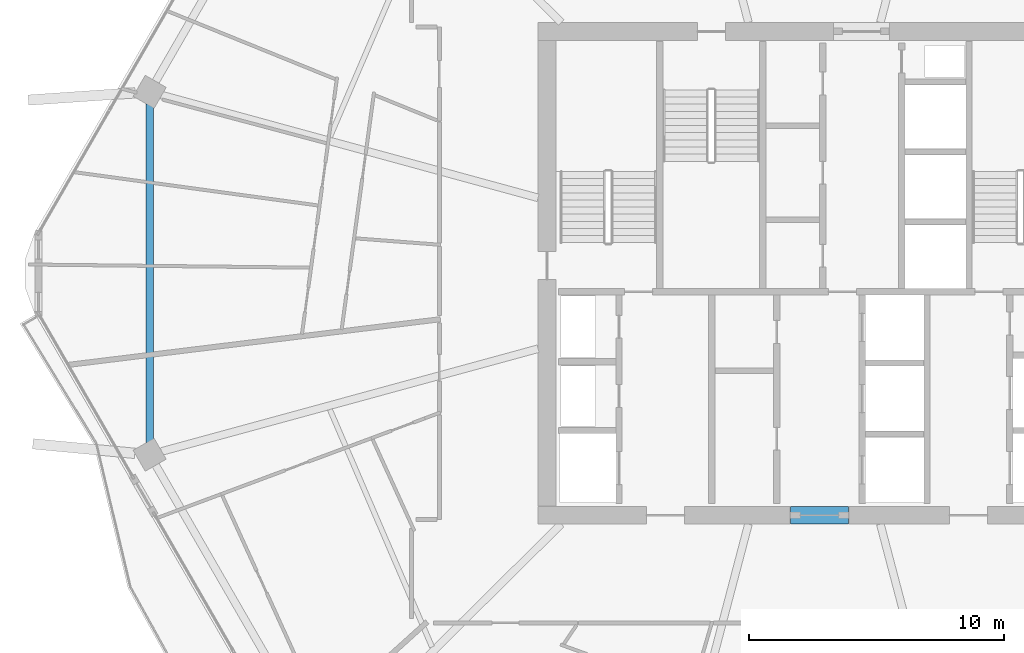
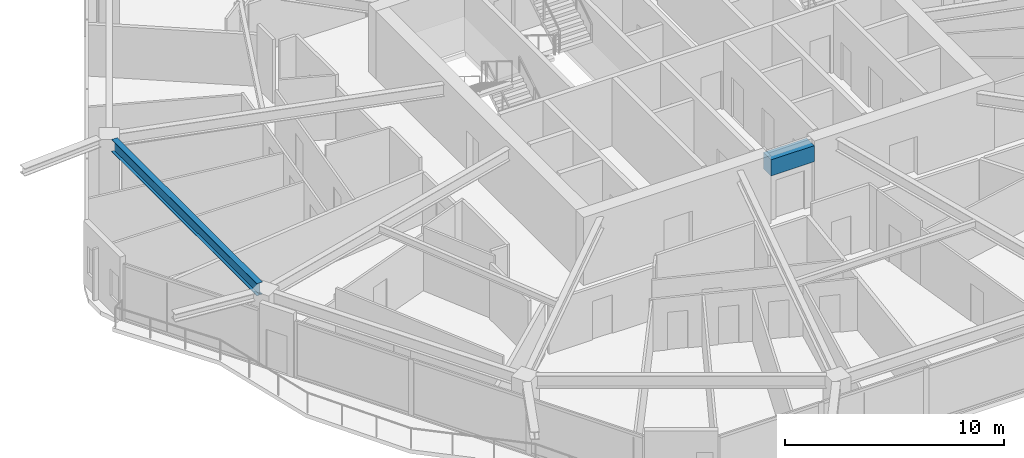
# One storey, part 6 of 26: 2 beams.
"""IFC4 building model written with IfcOpenShell, lengths in metres."""

import ifcopenshell
import ifcopenshell.guid

model = None  # the IFC model being written
_history = None  # IfcOwnerHistory: only IFC2X3 demands one
_inside = {}  # id of a spatial element -> (the spatial element, [elements in it])
_under = {}  # id of a project, library or spatial element -> (it, [spatial elements below it])
_declared = {}  # id of a project -> (the project, [libraries it declares])
_typed = {}  # id of a type object -> (the type object, [elements of that type])
_made_of = {}  # id of a material, layer set ... -> (it, [elements and type objects made of it])


def new_model(schema):
    """Start an empty IFC model of exactly this schema.

    Asked for "IFC4X3", IfcOpenShell would pick the latest addendum, in which some entities
    have other attributes; the version numbers below select the first issue.
    IFC2X3 requires an IfcOwnerHistory on every rooted entity: one is made here for all.
    """
    global model, _history
    if schema == "IFC4X3":
        model = ifcopenshell.file(schema_version=(4, 3, 0, 0))
    else:
        model = ifcopenshell.file(schema=schema)
    _inside.clear()
    _under.clear()
    _declared.clear()
    _typed.clear()
    _made_of.clear()
    _history = None
    if model.schema == "IFC2X3":
        org = make("IfcOrganization", Name="unknown")
        user = make(
            "IfcPersonAndOrganization",
            ThePerson=make("IfcPerson", FamilyName="unknown"),
            TheOrganization=org,
        )
        app = make(
            "IfcApplication",
            ApplicationDeveloper=org,
            Version="unknown",
            ApplicationFullName="unknown",
            ApplicationIdentifier="unknown",
        )
        _history = make(
            "IfcOwnerHistory",
            OwningUser=user,
            OwningApplication=app,
            ChangeAction="ADDED",
            CreationDate=0,
        )
    return model


def make(cls, **values):
    """One entity of the class cls with the attributes given. An attribute that is None is left unset."""
    return model.create_entity(
        cls, **{name: value for name, value in values.items() if value is not None}
    )


def rooted(cls, **values):
    """An entity with a GlobalId (a new one), such as an element, a storey or a relation."""
    return make(cls, GlobalId=ifcopenshell.guid.new(), OwnerHistory=_history, **values)


def si_unit(unit_type, name, prefix=None):
    """IfcSIUnit, for example si_unit("LENGTHUNIT", "METRE", prefix="MILLI")."""
    return make("IfcSIUnit", UnitType=unit_type, Prefix=prefix, Name=name)


def assignment(units):
    """IfcUnitAssignment: the units of a project."""
    return None if units is None else make("IfcUnitAssignment", Units=units)


def point(xyz):
    """IfcCartesianPoint."""
    return None if xyz is None else make("IfcCartesianPoint", Coordinates=xyz)


def direction(xyz):
    """IfcDirection."""
    return None if xyz is None else make("IfcDirection", DirectionRatios=xyz)


def frame(location, z_axis=None, x_axis=None):
    """IfcAxis2Placement3D, a coordinate frame: its origin and axes. An axis left out is left unset."""
    return make(
        "IfcAxis2Placement3D",
        Location=point(location),
        Axis=direction(z_axis),
        RefDirection=direction(x_axis),
    )


def frame_2d(location, x_axis=None):
    """IfcAxis2Placement2D, a coordinate frame in the plane: its origin and x axis."""
    return make(
        "IfcAxis2Placement2D", Location=point(location), RefDirection=direction(x_axis)
    )


def origin():
    """The frame at (0, 0, 0) with its axes left unset."""
    return frame((0.0, 0.0, 0.0))


def origin_2d():
    """The frame at (0, 0) in the plane with its x axis left unset."""
    return frame_2d((0.0, 0.0))


def place(relative_to, where):
    """IfcLocalPlacement: puts the frame where relative to a parent placement (None: the world)."""
    return make(
        "IfcLocalPlacement", PlacementRelTo=relative_to, RelativePlacement=where
    )


def context(
    kind, dimensions, precision=None, world=None, true_north=None, identifier=None
):
    """IfcGeometricRepresentationContext, for example the 3D "Model" context."""
    return make(
        "IfcGeometricRepresentationContext",
        ContextIdentifier=identifier,
        ContextType=kind,
        CoordinateSpaceDimension=dimensions,
        Precision=precision,
        WorldCoordinateSystem=world,
        TrueNorth=true_north,
    )


def subcontext(parent, identifier, kind, view, scale=None):
    """IfcGeometricRepresentationSubContext, for example "Body" below "Model"."""
    return make(
        "IfcGeometricRepresentationSubContext",
        ContextIdentifier=identifier,
        ContextType=kind,
        ParentContext=parent,
        TargetScale=scale,
        TargetView=view,
    )


def project(units=None, contexts=None):
    """IfcProject with its units and contexts."""
    return rooted(
        "IfcProject",
        Name="project",
        RepresentationContexts=contexts,
        UnitsInContext=assignment(units),
    )


def spatial(cls, under=None, at=None, **own):
    """A site, building, storey or space (cls), placed at a placement, below another one or the project."""
    s = rooted(cls, ObjectPlacement=at, **own)
    if under is not None:
        _under.setdefault(under.id(), (under, []))[1].append(s)
    return s


def profile(cls, at=None, kind="AREA", **sizes):
    """A parametric profile (cls). Its sizes go by their IFC names, for example OverallWidth=200.0."""
    return make(cls, ProfileType=kind, Position=at, **sizes)


def rectangle(**sizes):
    """IfcRectangleProfileDef."""
    return profile("IfcRectangleProfileDef", **sizes)


def i_section(**sizes):
    """IfcIShapeProfileDef."""
    return profile("IfcIShapeProfileDef", **sizes)


def extrude(swept, where, along, depth):
    """IfcExtrudedAreaSolid: the profile swept, set in the frame where, extruded along a direction by depth."""
    return make(
        "IfcExtrudedAreaSolid",
        SweptArea=swept,
        Position=where,
        ExtrudedDirection=direction(along),
        Depth=depth,
    )


def shape(context_of_items, identifier, shape_type, items):
    """IfcShapeRepresentation: the items that make up one representation, for example the "Body"."""
    return make(
        "IfcShapeRepresentation",
        ContextOfItems=context_of_items,
        RepresentationIdentifier=identifier,
        RepresentationType=shape_type,
        Items=items,
    )


def material(Name=None, Category=None):
    """IfcMaterial."""
    return make("IfcMaterial", Name=Name, Category=Category)


def material_profile(
    of_material, cross_section, Name=None, Category=None, Priority=None
):
    """IfcMaterialProfile: a cross section and its material."""
    return make(
        "IfcMaterialProfile",
        Name=Name,
        Material=of_material,
        Profile=cross_section,
        Priority=Priority,
        Category=Category,
    )


def profile_set(profiles, Name=None, composite=None):
    """IfcMaterialProfileSet."""
    return make(
        "IfcMaterialProfileSet",
        Name=Name,
        MaterialProfiles=profiles,
        CompositeProfile=composite,
    )


def made_of(thing, what):
    """Note that an element or type object is made of a material, layer set ...; save() writes the relation."""
    if what is not None:
        _made_of.setdefault(what.id(), (what, []))[1].append(thing)
    return thing


def type_object(cls, material=None, **own):
    """A type object (cls), such as IfcWallType, which elements share."""
    return made_of(rooted(cls, **own), material)


def element(
    cls,
    number,
    at=None,
    inside=None,
    cuts=None,
    type_object=None,
    material=None,
    context=None,
    identifier="Body",
    shape_type=None,
    held_by="IfcProductDefinitionShape",
    body=None,
    shapes=None,
    **own,
):
    """One element of the class cls, such as IfcWall. Its Tag is "e" and its number.

    at: its placement. inside: the storey or other place that contains it. cuts: it is an
    opening in that element (IfcRelVoidsElement). A single representation is given by context,
    identifier, shape_type and body (its items); several are given by shapes. held_by: the class
    of the entity that holds the representations. save() writes the other relations.
    """
    e = rooted(cls, Tag="e%d" % number, ObjectPlacement=at, **own)
    if body is not None:
        shapes = [shape(context, identifier, shape_type, body)]
    if shapes is not None:
        e.Representation = make(held_by, Representations=shapes)
    if inside is not None:
        _inside.setdefault(inside.id(), (inside, []))[1].append(e)
    if cuts is not None:
        rooted(
            "IfcRelVoidsElement", RelatingBuildingElement=cuts, RelatedOpeningElement=e
        )
    if type_object is not None:
        _typed.setdefault(type_object.id(), (type_object, []))[1].append(e)
    return made_of(e, material)


def aggregate(whole, parts):
    """IfcRelAggregates: a whole, such as a stair, and the parts it consists of."""
    return rooted("IfcRelAggregates", RelatingObject=whole, RelatedObjects=parts)


def save(model, path):
    """Write the relations noted so far, then the file.

    IfcRelAggregates (storeys below a building ...), IfcRelContainedInSpatialStructure (elements
    in a storey), IfcRelDefinesByType, IfcRelAssociatesMaterial and IfcRelDeclares: one each for
    every whole, place, type object, material and project.
    """
    for whole, parts in _under.values():
        aggregate(whole, parts)
    for where, things in _inside.values():
        rooted(
            "IfcRelContainedInSpatialStructure",
            RelatedElements=things,
            RelatingStructure=where,
        )
    for kind, things in _typed.values():
        rooted("IfcRelDefinesByType", RelatedObjects=things, RelatingType=kind)
    for what, things in _made_of.values():
        rooted("IfcRelAssociatesMaterial", RelatedObjects=things, RelatingMaterial=what)
    for by, libraries in _declared.values():
        rooted("IfcRelDeclares", RelatingContext=by, RelatedDefinitions=libraries)
    model.write(path)


model = new_model("IFC4")

# Units and contexts
model_context = context("Model", 3, precision=1e-05, world=origin(), true_north=direction((0.0, 1.0)))
body_context = subcontext(model_context, "Body", "Model", "MODEL_VIEW")
ifc_project = project(units=[si_unit("LENGTHUNIT", "METRE"), si_unit("AREAUNIT", "SQUARE_METRE"), si_unit("VOLUMEUNIT", "CUBIC_METRE"), si_unit("PLANEANGLEUNIT", "RADIAN"), si_unit("MASSUNIT", "GRAM", prefix="KILO")], contexts=[model_context])

# Site, building, storey
site_placement = place(None, origin())
site = spatial("IfcSite", under=ifc_project, at=site_placement, CompositionType="ELEMENT")
building_placement = place(site_placement, origin())
building = spatial("IfcBuilding", under=site, at=building_placement, Name="Zuhravey Tower", CompositionType="ELEMENT")
storey_placement = place(building_placement, frame((0.0, 0.0, 203.60009765625)))
storey = spatial("IfcBuildingStorey", under=building, at=storey_placement, Name="L51", CompositionType="ELEMENT", Elevation=203.60009765625)

# Beams
ifc_material_1 = material(Name="Concrete C60/75", Category="concrete")
ifc_material_profile_1 = material_profile(ifc_material_1, rectangle(XDim=0.699951171875, YDim=0.89990234375, at=origin_2d()), Name="RC-700x900")
ifc_profile_set_1 = profile_set([ifc_material_profile_1], Name="Concrete C60/75")
beam_type_1 = type_object("IfcBeamType", Name="Core Coupling Beam RC700x900", PredefinedType="LINTEL", material=ifc_profile_set_1)
beam_1_placement = place(storey_placement, frame((35.052001953125, 22.5, 3.099853515625), z_axis=(1.0, 0.0, 0.0), x_axis=(0.0, 1.0, 0.0)))
element("IfcBeam", 1, at=beam_1_placement, inside=storey, type_object=beam_type_1, Name="L51 CB1 BM-L51-CB-S", PredefinedType="LINTEL", context=body_context, shape_type="SweptSolid", body=[
    extrude(rectangle(XDim=0.699951171875, YDim=0.89990234375, at=origin_2d()), origin(), (0.0, 0.0, 1.0), 2.2958984375),
])
ifc_material_2 = material(Name="Steel SM355", Category="steel")
ifc_material_profile_2 = material_profile(ifc_material_2, i_section(OverallWidth=0.300048828125, OverallDepth=0.679931640625, WebThickness=0.012939453125, FlangeThickness=0.02197265625, at=origin_2d()), Name="H-680x300x13x22")
ifc_profile_set_2 = profile_set([ifc_material_profile_2], Name="Steel SM355")
beam_type_2 = type_object("IfcBeamType", Name="Perimeter Ring Beam H680x300", PredefinedType="BEAM", material=ifc_profile_set_2)
beam_2_placement = place(storey_placement, frame((9.892333984375, 38.6484375, 3.2099609375), z_axis=(0.0, -1.0, 0.0), x_axis=(1.0, 0.0, 0.0)))
element("IfcBeam", 2, at=beam_2_placement, inside=storey, type_object=beam_type_2, Name="L51 PB2 BM-L51-PB-06", PredefinedType="BEAM", context=body_context, shape_type="SweptSolid", body=[
    extrude(i_section(OverallWidth=0.300048828125, OverallDepth=0.679931640625, WebThickness=0.012939453125, FlangeThickness=0.02197265625, at=origin_2d()), origin(), (0.0, 0.0, 1.0), 13.296875),
])

save(model, "model.ifc")
